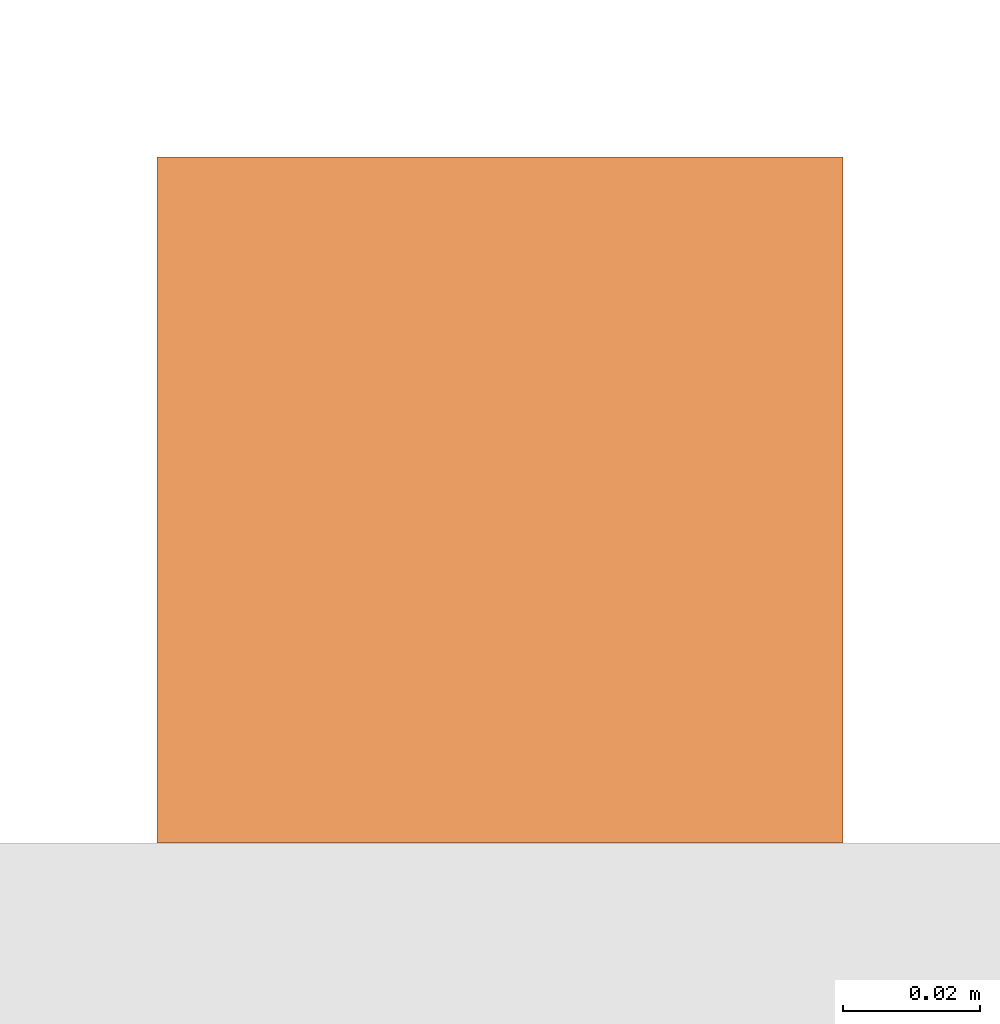
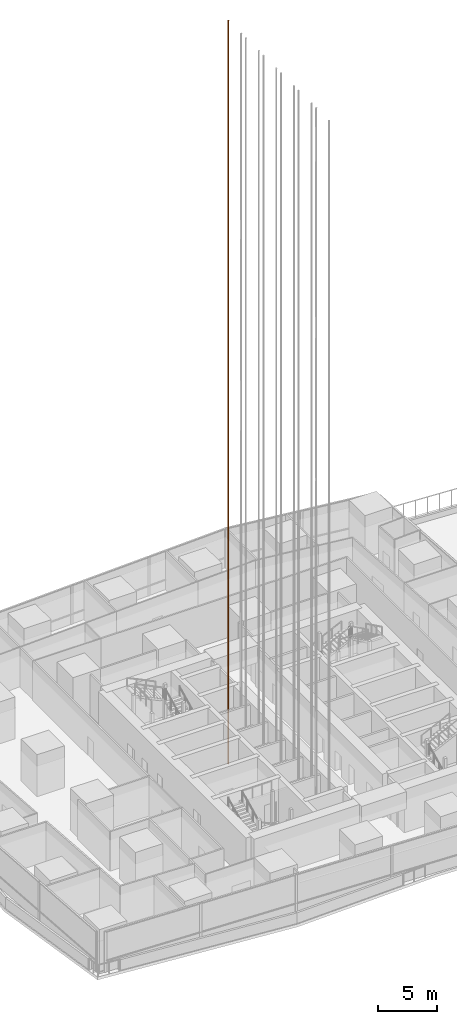
# One storey, part 39 of 39: 1 proxy.
"""IFC4 building model written with IfcOpenShell, lengths in metres."""

from ifc_helpers import new_model, si_unit, direction, frame, origin, origin_2d, place, context, subcontext, project, spatial, rectangle, extrude, material, type_object, element, save


model = new_model("IFC4")

# Units and contexts
model_context = context("Model", 3, precision=1e-05, world=origin(), true_north=direction((0.0, 1.0)))
body_context = subcontext(model_context, "Body", "Model", "MODEL_VIEW")
ifc_project = project(units=[si_unit("LENGTHUNIT", "METRE"), si_unit("AREAUNIT", "SQUARE_METRE"), si_unit("VOLUMEUNIT", "CUBIC_METRE"), si_unit("PLANEANGLEUNIT", "RADIAN"), si_unit("MASSUNIT", "GRAM", prefix="KILO")], contexts=[model_context])

# Site, building, storey
site_placement = place(None, origin())
site = spatial("IfcSite", under=ifc_project, at=site_placement, CompositionType="ELEMENT")
building_placement = place(site_placement, origin())
building = spatial("IfcBuilding", under=site, at=building_placement, Name="Rekha Terrace Tower", CompositionType="ELEMENT")
storey_placement = place(building_placement, frame((0.0, 0.0, 168.199951171875)))
storey = spatial("IfcBuildingStorey", under=building, at=storey_placement, Name="L42", CompositionType="ELEMENT", Elevation=168.199951171875)

# Proxy
ifc_material = material(Name="Steel guide rail", Category="steel")
building_element_proxy_type = type_object("IfcBuildingElementProxyType", Name="LR1 100 lift guide rail", PredefinedType="ELEMENT", material=ifc_material)
proxy_placement = place(storey_placement, frame((34.5, 41.0, -3.2998046875), z_axis=(0.0, 0.0, 1.0), x_axis=(1.0, 0.0, 0.0)))
element("IfcBuildingElementProxy", 1, at=proxy_placement, inside=storey, type_object=building_element_proxy_type, Name="Lift C6 guide rail 2", PredefinedType="ELEMENT", context=body_context, shape_type="SweptSolid", body=[
    extrude(rectangle(XDim=0.10009765625, YDim=0.10009765625, at=origin_2d()), origin(), (0.0, 0.0, 1.0), 77.39990234375),
])

save(model, "model.ifc")
